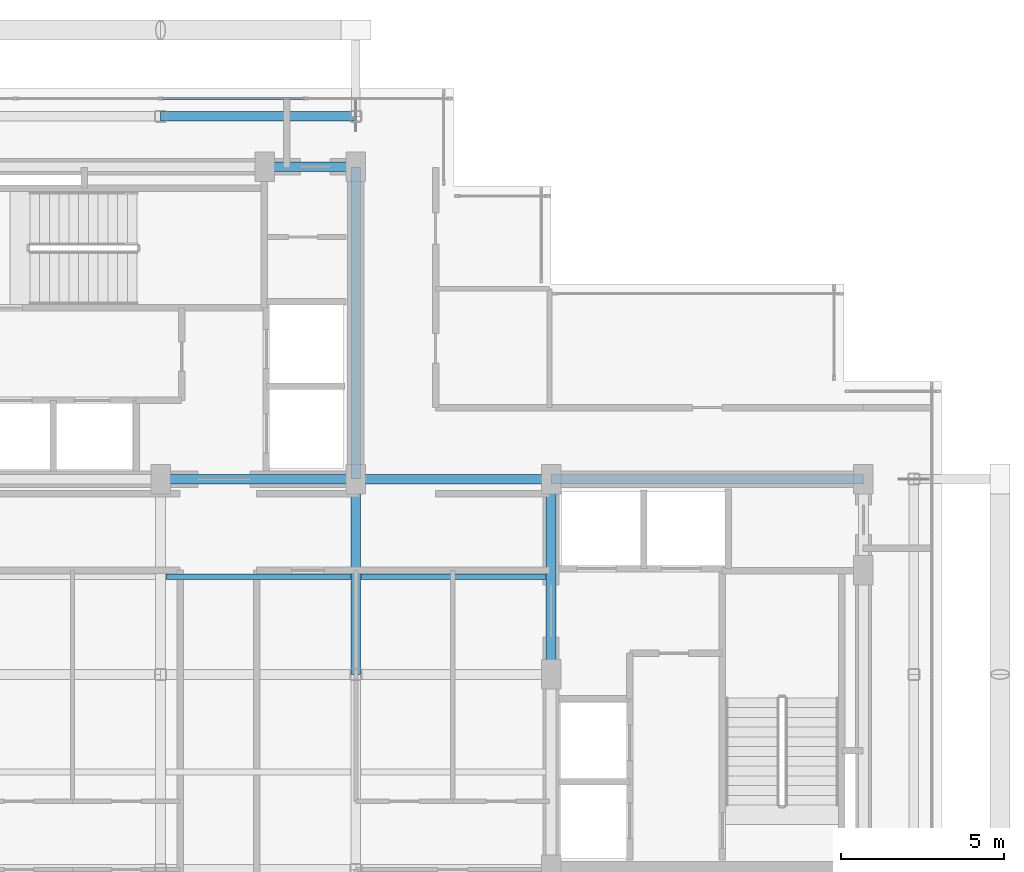
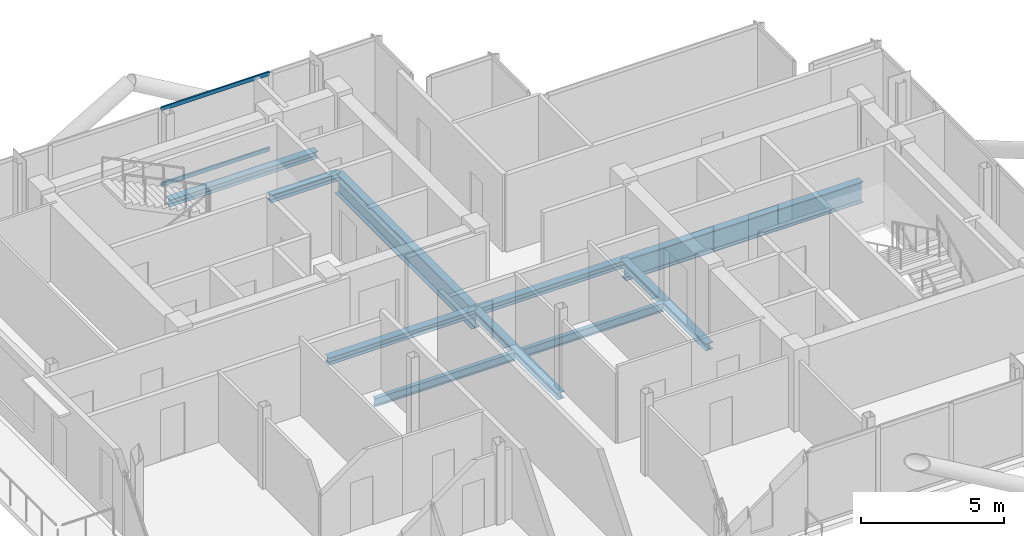
# One storey, part 9 of 18: 10 beams, 2 members, 1 element without a shape of its own.
"""IFC4 building model written with IfcOpenShell, lengths in metres."""

from ifc_helpers import new_model, si_unit, direction, frame, origin, origin_2d, place, context, subcontext, project, spatial, hollow_rectangle, i_section, extrude, material, layer, layer_set, material_profile, profile_set, type_object, element, aggregate, save


model = new_model("IFC4")

# Units and contexts
model_context = context("Model", 3, precision=1e-05, world=origin(), true_north=direction((0.0, 1.0)))
body_context = subcontext(model_context, "Body", "Model", "MODEL_VIEW")
ifc_project = project(units=[si_unit("LENGTHUNIT", "METRE"), si_unit("AREAUNIT", "SQUARE_METRE"), si_unit("VOLUMEUNIT", "CUBIC_METRE"), si_unit("PLANEANGLEUNIT", "RADIAN"), si_unit("MASSUNIT", "GRAM", prefix="KILO"), si_unit("THERMODYNAMICTEMPERATUREUNIT", "KELVIN"), si_unit("POWERUNIT", "WATT")], contexts=[model_context])

# Site, building, storey
site_placement = place(None, origin())
site = spatial("IfcSite", under=ifc_project, at=site_placement, CompositionType="ELEMENT")
building_placement = place(site_placement, origin())
building = spatial("IfcBuilding", under=site, at=building_placement, Name="Svarakhadi Broadcast Tower", CompositionType="ELEMENT")
storey_placement = place(building_placement, frame((0.0, 0.0, 250.199951171875)))
storey = spatial("IfcBuildingStorey", under=building, at=storey_placement, Name="L62", CompositionType="ELEMENT", Elevation=250.199951171875)

# Beams
ifc_material_1 = material(Name="Steel S355J2 (IS 2062 E350C)", Category="steel")
ifc_material_profile_1 = material_profile(ifc_material_1, i_section(OverallWidth=0.169921875, OverallDepth=0.360107421875, WebThickness=0.008056640625, FlangeThickness=0.0126953125, FilletRadius=0.01806640625, at=origin_2d()), Name="NPB 360x170x57")
ifc_profile_set_1 = profile_set([ifc_material_profile_1], Name="Steel S355J2 (IS 2062 E350C)")
beam_type_1 = type_object("IfcBeamType", Name="Beam_NPB360", PredefinedType="BEAM", material=ifc_profile_set_1)
for number, where, z_axis, x_axis, name in (
    (1, (12.159912109375, 15.0, -0.3798828125), (1.0, 0.0, 0.0), (0.0, 1.0, 0.0), "L62 Secondary Composite Beam SB009"),
    (2, (18.159912109375, 15.0, -0.3798828125), (1.0, 0.0, 0.0), (0.0, 1.0, 0.0), "L62 Secondary Composite Beam SB012"),
):
    element("IfcBeam", number, at=place(storey_placement, frame(where, z_axis=z_axis, x_axis=x_axis)), inside=storey, type_object=beam_type_1, Name=name, PredefinedType="BEAM", context=body_context, shape_type="SweptSolid", body=[
        extrude(i_section(OverallWidth=0.169921875, OverallDepth=0.360107421875, WebThickness=0.008056640625, FlangeThickness=0.0126953125, FilletRadius=0.01806640625, at=origin_2d()), origin(), (0.0, 0.0, 1.0), 5.68017578125),
    ])

# Curtain wall, members
ifc_material_2 = material(Name="Anodised Bronze Aluminium AA 6063-T6", Category="aluminium")
ifc_layer = layer(ifc_material_2, 0.179931640625)
ifc_layer_set = layer_set([ifc_layer], Name="Anodised Bronze Aluminium AA 6063-T6")
curtain_wall_type = type_object("IfcCurtainWallType", Name="CW_Sys_05", PredefinedType="NOTDEFINED", material=ifc_layer_set)
curtain_wall_placement = place(storey_placement, origin())
curtain_wall = element("IfcCurtainWall", 3, at=curtain_wall_placement, inside=storey, type_object=curtain_wall_type, Name="L62 Unitised Facade Curtain Wall 06", PredefinedType="NOTDEFINED")
ifc_material_profile_2 = material_profile(ifc_material_2, hollow_rectangle(XDim=0.06494140625, YDim=0.1650390625, WallThickness=0.0048828125, at=origin_2d()), Name="ALU TRANSOM 165x65x5")
ifc_profile_set_2 = profile_set([ifc_material_profile_2], Name="Anodised Bronze Aluminium AA 6063-T6")
member_type = type_object("IfcMemberType", Name="CW_Sys_05_Trn", PredefinedType="USERDEFINED", material=ifc_profile_set_2)
member_1_placement = place(storey_placement, frame((12.034912109375, 29.699951171875, 0.032470703125), z_axis=(1.0, 0.0, 0.0), x_axis=(0.0, 1.0, 0.0)))
member_1 = element("IfcMember", 4, at=member_1_placement, type_object=member_type, Name="CW-05 transom 3.1", ObjectType="TRANSOM", PredefinedType="USERDEFINED", context=body_context, shape_type="SweptSolid", body=[
    extrude(hollow_rectangle(XDim=0.06494140625, YDim=0.1650390625, WallThickness=0.0048828125, at=origin_2d()), origin(), (0.0, 0.0, 1.0), 4.385009765625),
])
member_2_placement = place(storey_placement, frame((12.034912109375, 29.699951171875, 3.267578125), z_axis=(1.0, 0.0, 0.0), x_axis=(0.0, 1.0, 0.0)))
member_2 = element("IfcMember", 5, at=member_2_placement, type_object=member_type, Name="CW-05 transom 3.2", ObjectType="TRANSOM", PredefinedType="USERDEFINED", context=body_context, shape_type="SweptSolid", body=[
    extrude(hollow_rectangle(XDim=0.06494140625, YDim=0.1650390625, WallThickness=0.0048828125, at=origin_2d()), origin(), (0.0, 0.0, 1.0), 4.385009765625),
])
aggregate(curtain_wall, [member_1, member_2])

# Beams
ifc_material_profile_3 = material_profile(ifc_material_1, i_section(OverallWidth=0.300048828125, OverallDepth=0.300048828125, WebThickness=0.010986328125, FlangeThickness=0.01904296875, FilletRadius=0.027099609375, at=origin_2d()), Name="WPB 300x300x117")
ifc_profile_set_3 = profile_set([ifc_material_profile_3], Name="Steel S355J2 (IS 2062 E350C)")
beam_type_2 = type_object("IfcBeamType", Name="Girder_WPB300", PredefinedType="USERDEFINED", material=ifc_profile_set_3)
for number, where, z_axis, x_axis, name in (
    (6, (12.0, 18.0, -0.349853515625), (1.0, 0.0, 0.0), (0.0, 1.0, 0.0), "L62 Primary E-W Girder G019"),
    (7, (18.0, 18.0, -0.349853515625), (1.0, 0.0, 0.0), (0.0, 1.0, 0.0), "L62 Primary E-W Girder G020"),
):
    element("IfcBeam", number, at=place(storey_placement, frame(where, z_axis=z_axis, x_axis=x_axis)), inside=storey, type_object=beam_type_2, Name=name, ObjectType="GIRDER", PredefinedType="USERDEFINED", context=body_context, shape_type="SweptSolid", body=[
        extrude(i_section(OverallWidth=0.300048828125, OverallDepth=0.300048828125, WebThickness=0.010986328125, FlangeThickness=0.01904296875, FilletRadius=0.027099609375, at=origin_2d()), origin(), (0.0, 0.0, 1.0), 6.0),
    ])
beam_placement = place(storey_placement, frame((15.199951171875, 27.60009765625, -0.349853515625), z_axis=(1.0, 0.0, 0.0), x_axis=(0.0, 1.0, 0.0)))
element("IfcBeam", 8, at=beam_placement, inside=storey, type_object=beam_type_2, Name="L62 Primary E-W Girder G023", ObjectType="GIRDER", PredefinedType="USERDEFINED", context=body_context, shape_type="SweptSolid", body=[
    extrude(i_section(OverallWidth=0.300048828125, OverallDepth=0.300048828125, WebThickness=0.010986328125, FlangeThickness=0.01904296875, FilletRadius=0.027099609375, at=origin_2d()), origin(), (0.0, 0.0, 1.0), 2.800048828125),
])
for number, where, z_axis, x_axis, name in (
    (9, (12.0, 29.14990234375, -0.349853515625), (1.0, 0.0, 0.0), (0.0, 1.0, 0.0), "L62 Primary E-W Girder G025"),
    (10, (18.0, 12.0, -0.349853515625), (0.0, 1.0, 0.0), (-1.0, 0.0, 0.0), "L62 Primary N-S Girder G038"),
    (11, (24.0, 12.0, -0.349853515625), (0.0, 1.0, 0.0), (-1.0, 0.0, 0.0), "L62 Primary N-S Girder G042"),
):
    element("IfcBeam", number, at=place(storey_placement, frame(where, z_axis=z_axis, x_axis=x_axis)), inside=storey, type_object=beam_type_2, Name=name, ObjectType="GIRDER", PredefinedType="USERDEFINED", context=body_context, shape_type="SweptSolid", body=[
        extrude(i_section(OverallWidth=0.300048828125, OverallDepth=0.300048828125, WebThickness=0.010986328125, FlangeThickness=0.01904296875, FilletRadius=0.027099609375, at=origin_2d()), origin(), (0.0, 0.0, 1.0), 6.0),
    ])
ifc_material_3 = material(Name="Steel S460ML (IS 2062 E450BR)", Category="steel")
ifc_material_profile_4 = material_profile(ifc_material_3, i_section(OverallWidth=0.300048828125, OverallDepth=0.89990234375, WebThickness=0.0185546875, FlangeThickness=0.034912109375, FilletRadius=0.030029296875, at=origin_2d()), Name="WPB 900x300x291")
ifc_profile_set_4 = profile_set([ifc_material_profile_4], Name="Steel S460ML (IS 2062 E450BR)")
beam_type_3 = type_object("IfcBeamType", Name="Girder_WPB900", PredefinedType="USERDEFINED", material=ifc_profile_set_4)
for number, where, z_axis, x_axis, name in (
    (12, (24.0, 18.0, -0.64990234375), (1.0, 0.0, 0.0), (0.0, 1.0, 0.0), "L62 Primary E-W Girder G021"),
    (13, (18.0, 18.0, -0.64990234375), (0.0, 1.0, 0.0), (-1.0, 0.0, 0.0), "L62 Primary N-S Girder G039"),
):
    element("IfcBeam", number, at=place(storey_placement, frame(where, z_axis=z_axis, x_axis=x_axis)), inside=storey, type_object=beam_type_3, Name=name, ObjectType="GIRDER", PredefinedType="USERDEFINED", context=body_context, shape_type="SweptSolid", body=[
        extrude(i_section(OverallWidth=0.300048828125, OverallDepth=0.89990234375, WebThickness=0.0185546875, FlangeThickness=0.034912109375, FilletRadius=0.030029296875, at=origin_2d()), origin(), (0.0, 0.0, 1.0), 9.60009765625),
    ])

save(model, "model.ifc")
